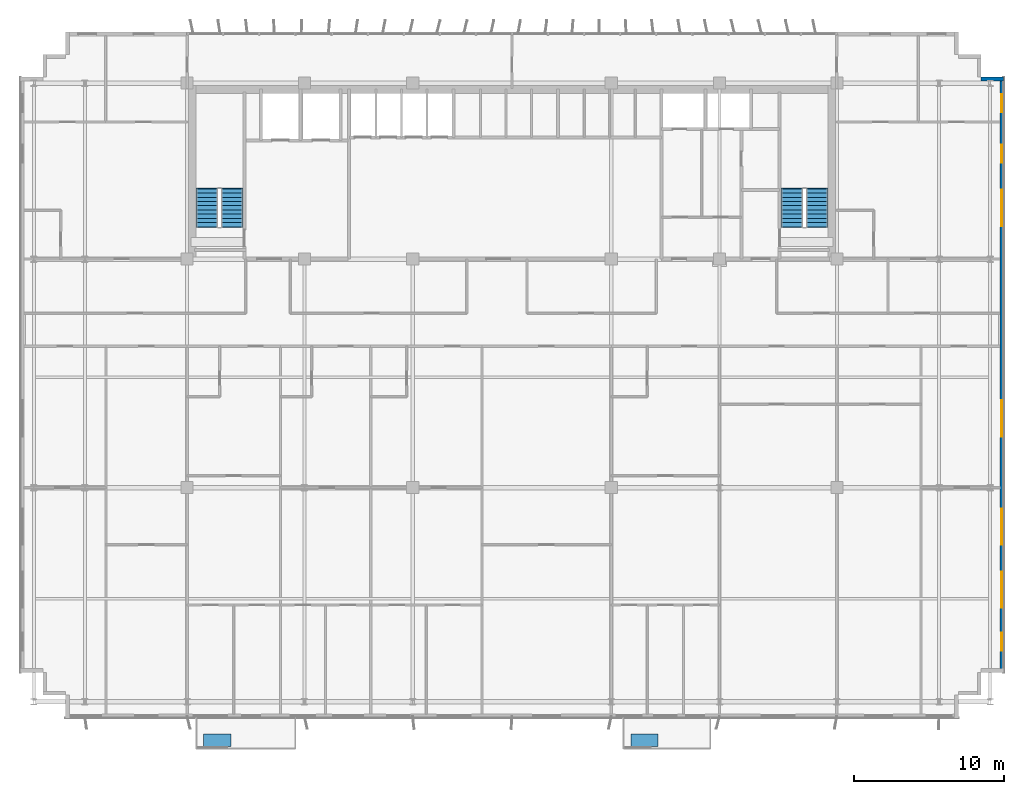
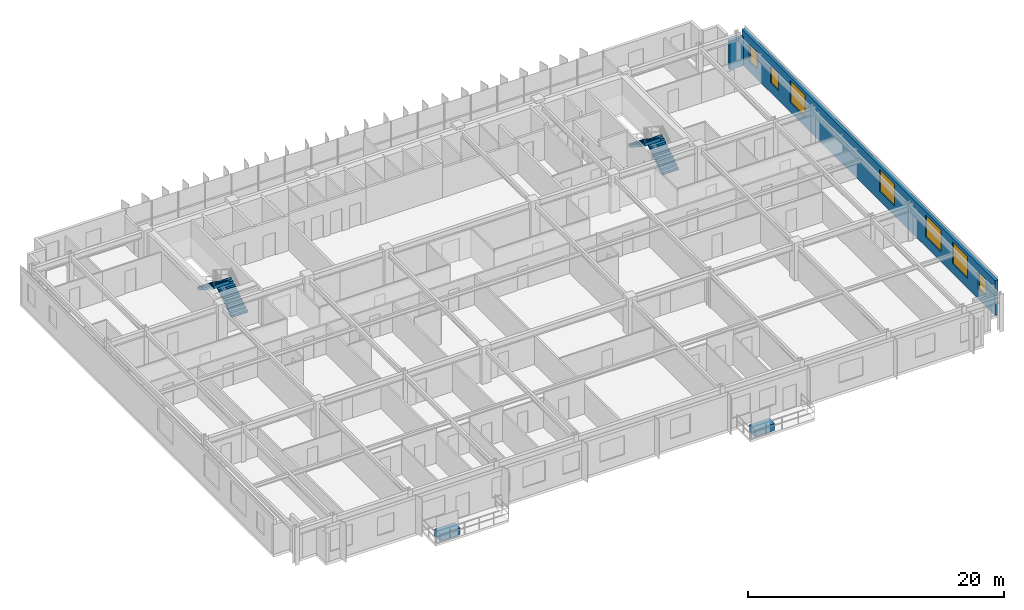
# One storey, part 19 of 22: 7 windows, 4 stair flights, 2 discrete accessories, 2 walls, 7 openings, 2 elements without a shape of their own.
"""IFC4 building model written with IfcOpenShell, lengths in metres."""

from ifc_helpers import new_model, si_unit, direction, frame, frame_2d, origin, origin_2d, place, context, subcontext, project, spatial, polyline, rectangle, outline, extrude, source, transform, mapped, material, layer, layer_set, type_object, element, fill, aggregate, save


model = new_model("IFC4")

# Units and contexts
model_context = context("Model", 3, precision=1e-05, world=origin(), true_north=direction((0.0, 1.0)))
body_context = subcontext(model_context, "Body", "Model", "MODEL_VIEW")
ifc_project = project(units=[si_unit("LENGTHUNIT", "METRE"), si_unit("AREAUNIT", "SQUARE_METRE"), si_unit("VOLUMEUNIT", "CUBIC_METRE"), si_unit("PLANEANGLEUNIT", "RADIAN"), si_unit("MASSUNIT", "GRAM", prefix="KILO")], contexts=[model_context])

# Site, building, storey
site_placement = place(None, origin())
site = spatial("IfcSite", under=ifc_project, at=site_placement, CompositionType="ELEMENT")
building_placement = place(site_placement, origin())
building = spatial("IfcBuilding", under=site, at=building_placement, Name="Trelvane Seafront Commons", CompositionType="ELEMENT")
storey_placement = place(building_placement, frame((0.0, 0.0, 114.10009765625)))
storey = spatial("IfcBuildingStorey", under=building, at=storey_placement, Name="L29", CompositionType="ELEMENT", Elevation=114.10009765625)

# Wall
ifc_material_1 = material(Name="Precast concrete C40/50", Category="concrete")
ifc_layer = layer(ifc_material_1, 0.260009765625, Name="ARCH-WALL-EXT260")
ifc_layer_set = layer_set([ifc_layer], Name="Precast concrete C40/50")
wall_type = type_object("IfcWallType", Name="ARCH-WALL-EXT260", PredefinedType="SOLIDWALL", material=ifc_layer_set)
wall_1_placement = place(storey_placement, frame((68.39990234375, 45.3701171875, 0.0), z_axis=(0.0, 0.0, 1.0), x_axis=(1.0, 0.0, 0.0)))
element("IfcWall", 1, at=wall_1_placement, inside=storey, type_object=wall_type, Name="EW-L29-00551", PredefinedType="SOLIDWALL", context=body_context, shape_type="SweptSolid", body=[
    extrude(rectangle(XDim=1.5, YDim=0.260009765625, at=frame_2d((0.75, 0.0))), origin(), (0.0, 0.0, 1.0), 2.751953125),
])

# Wall, openings, windows
wall_2_placement = place(storey_placement, frame((69.77001953125, 45.5, 0.0), z_axis=(0.0, 0.0, 1.0), x_axis=(0.0, -1.0, 0.0)))
wall_2 = element("IfcWall", 2, at=wall_2_placement, inside=storey, type_object=wall_type, Name="EW-L29-00552", PredefinedType="SOLIDWALL", context=body_context, shape_type="SweptSolid", body=[
    extrude(rectangle(XDim=39.60009765625, YDim=0.260009765625, at=frame_2d((19.800048828125, 0.0))), origin(), (0.0, 0.0, 1.0), 3.33984375),
])
opening_1_placement = place(wall_2_placement, frame((36.949951171875, 0.0, 0.919921875)))
opening_1 = element("IfcOpeningElement", 3, at=opening_1_placement, cuts=wall_2, Name="Opening W05", PredefinedType="OPENING", context=body_context, shape_type="SweptSolid", body=[
    extrude(rectangle(XDim=1.199951171875, YDim=1.64990234375, at=frame_2d((0.60009765625, 0.824951171875))), frame((0.0, 0.139892578125, 0.0), z_axis=(0.0, -1.0, 0.0), x_axis=(1.0, 0.0, 0.0)), (0.0, 0.0, 1.0), 0.280029296875),
])
opening_2_placement = place(wall_2_placement, frame((32.89990234375, 0.0, 0.919921875)))
opening_2 = element("IfcOpeningElement", 4, at=opening_2_placement, cuts=wall_2, Name="Opening W08", PredefinedType="OPENING", context=body_context, shape_type="SweptSolid", body=[
    extrude(rectangle(XDim=2.39990234375, YDim=2.10009765625, at=frame_2d((1.199951171875, 1.050048828125))), frame((0.0, 0.139892578125, 0.0), z_axis=(0.0, -1.0, 0.0), x_axis=(1.0, 0.0, 0.0)), (0.0, 0.0, 1.0), 0.280029296875),
])
opening_3_placement = place(wall_2_placement, frame((28.699951171875, 0.0, 0.919921875)))
opening_3 = element("IfcOpeningElement", 5, at=opening_3_placement, cuts=wall_2, Name="Opening W08", PredefinedType="OPENING", context=body_context, shape_type="SweptSolid", body=[
    extrude(rectangle(XDim=2.39990234375, YDim=2.10009765625, at=frame_2d((1.199951171875, 1.050048828125))), frame((0.0, 0.139892578125, 0.0), z_axis=(0.0, -1.0, 0.0), x_axis=(1.0, 0.0, 0.0)), (0.0, 0.0, 1.0), 0.280029296875),
])
opening_4_placement = place(wall_2_placement, frame((21.5, 0.0, 0.919921875)))
opening_4 = element("IfcOpeningElement", 6, at=opening_4_placement, cuts=wall_2, Name="Opening W08", PredefinedType="OPENING", context=body_context, shape_type="SweptSolid", body=[
    extrude(rectangle(XDim=2.39990234375, YDim=2.10009765625, at=frame_2d((1.199951171875, 1.050048828125))), frame((0.0, 0.139892578125, 0.0), z_axis=(0.0, -1.0, 0.0), x_axis=(1.0, 0.0, 0.0)), (0.0, 0.0, 1.0), 0.280029296875),
])
opening_5_placement = place(wall_2_placement, frame((7.5, 0.0, 0.919921875)))
opening_5 = element("IfcOpeningElement", 7, at=opening_5_placement, cuts=wall_2, Name="Opening W08", PredefinedType="OPENING", context=body_context, shape_type="SweptSolid", body=[
    extrude(rectangle(XDim=2.39990234375, YDim=2.10009765625, at=frame_2d((1.199951171875, 1.050048828125))), frame((0.0, 0.139892578125, 0.0), z_axis=(0.0, -1.0, 0.0), x_axis=(1.0, 0.0, 0.0)), (0.0, 0.0, 1.0), 0.280029296875),
])
opening_6_placement = place(wall_2_placement, frame((4.5, 0.0, 0.919921875)))
opening_6 = element("IfcOpeningElement", 8, at=opening_6_placement, cuts=wall_2, Name="Opening W05", PredefinedType="OPENING", context=body_context, shape_type="SweptSolid", body=[
    extrude(rectangle(XDim=1.199951171875, YDim=1.64990234375, at=frame_2d((0.60009765625, 0.824951171875))), frame((0.0, 0.139892578125, 0.0), z_axis=(0.0, -1.0, 0.0), x_axis=(1.0, 0.0, 0.0)), (0.0, 0.0, 1.0), 0.280029296875),
])
opening_7_placement = place(wall_2_placement, frame((1.14990234375, 0.0, 0.919921875)))
opening_7 = element("IfcOpeningElement", 9, at=opening_7_placement, cuts=wall_2, Name="Opening W05", PredefinedType="OPENING", context=body_context, shape_type="SweptSolid", body=[
    extrude(rectangle(XDim=1.199951171875, YDim=1.64990234375, at=frame_2d((0.60009765625, 0.824951171875))), frame((0.0, 0.139892578125, 0.0), z_axis=(0.0, -1.0, 0.0), x_axis=(1.0, 0.0, 0.0)), (0.0, 0.0, 1.0), 0.280029296875),
])
ifc_material_2 = material(Name="Low-E coastal double glazing", Category="glass")
window_type_1 = type_object("IfcWindowType", Name="ARCH-WIN-W08", PartitioningType="SINGLE_PANEL", PredefinedType="WINDOW", material=ifc_material_2)
shared_shape_1 = source(origin(), body_context, "Body", "SweptSolid", [
    extrude(rectangle(XDim=2.39990234375, YDim=2.10009765625, at=frame_2d((1.199951171875, 1.050048828125))), frame((0.0, 0.030029296875, 0.0), z_axis=(0.0, -1.0, 0.0), x_axis=(1.0, 0.0, 0.0)), (0.0, 0.0, 1.0), 0.06005859375),
])
window_1_placement = place(opening_2_placement, origin())
window_1 = element("IfcWindow", 10, at=window_1_placement, inside=storey, type_object=window_type_1, Name="WIN-L29-EW-00646", OverallHeight=2.10009765625, OverallWidth=2.39990234375, PartitioningType="SINGLE_PANEL", PredefinedType="WINDOW", context=body_context, shape_type="MappedRepresentation", body=[
    mapped(shared_shape_1, transform((0.0, 0.0, 0.0), x_axis=(1.0, 0.0, 0.0), y_axis=(0.0, 1.0, 0.0), z_axis=(0.0, 0.0, 1.0), scale=1.0)),
])
fill(opening_2, window_1)
window_2_placement = place(opening_3_placement, origin())
window_2 = element("IfcWindow", 11, at=window_2_placement, inside=storey, type_object=window_type_1, Name="WIN-L29-EW-00647", OverallHeight=2.10009765625, OverallWidth=2.39990234375, PartitioningType="SINGLE_PANEL", PredefinedType="WINDOW", context=body_context, shape_type="MappedRepresentation", body=[
    mapped(shared_shape_1, transform((0.0, 0.0, 0.0), x_axis=(1.0, 0.0, 0.0), y_axis=(0.0, 1.0, 0.0), z_axis=(0.0, 0.0, 1.0), scale=1.0)),
])
fill(opening_3, window_2)
window_3_placement = place(opening_4_placement, origin())
window_3 = element("IfcWindow", 12, at=window_3_placement, inside=storey, type_object=window_type_1, Name="WIN-L29-EW-00648", OverallHeight=2.10009765625, OverallWidth=2.39990234375, PartitioningType="SINGLE_PANEL", PredefinedType="WINDOW", context=body_context, shape_type="MappedRepresentation", body=[
    mapped(shared_shape_1, transform((0.0, 0.0, 0.0), x_axis=(1.0, 0.0, 0.0), y_axis=(0.0, 1.0, 0.0), z_axis=(0.0, 0.0, 1.0), scale=1.0)),
])
fill(opening_4, window_3)
window_4_placement = place(opening_5_placement, origin())
window_4 = element("IfcWindow", 13, at=window_4_placement, inside=storey, type_object=window_type_1, Name="WIN-L29-EW-00649", OverallHeight=2.10009765625, OverallWidth=2.39990234375, PartitioningType="SINGLE_PANEL", PredefinedType="WINDOW", context=body_context, shape_type="MappedRepresentation", body=[
    mapped(shared_shape_1, transform((0.0, 0.0, 0.0), x_axis=(1.0, 0.0, 0.0), y_axis=(0.0, 1.0, 0.0), z_axis=(0.0, 0.0, 1.0), scale=1.0)),
])
fill(opening_5, window_4)
window_type_2 = type_object("IfcWindowType", Name="ARCH-WIN-W05", PartitioningType="SINGLE_PANEL", PredefinedType="WINDOW", material=ifc_material_2)
shared_shape_2 = source(origin(), body_context, "Body", "SweptSolid", [
    extrude(rectangle(XDim=1.199951171875, YDim=1.64990234375, at=frame_2d((0.60009765625, 0.824951171875))), frame((0.0, 0.030029296875, 0.0), z_axis=(0.0, -1.0, 0.0), x_axis=(1.0, 0.0, 0.0)), (0.0, 0.0, 1.0), 0.06005859375),
])
window_5_placement = place(opening_1_placement, origin())
window_5 = element("IfcWindow", 14, at=window_5_placement, inside=storey, type_object=window_type_2, Name="WIN-L29-EW-00645", OverallHeight=1.64990234375, OverallWidth=1.199951171875, PartitioningType="SINGLE_PANEL", PredefinedType="WINDOW", context=body_context, shape_type="MappedRepresentation", body=[
    mapped(shared_shape_2, transform((0.0, 0.0, 0.0), x_axis=(1.0, 0.0, 0.0), y_axis=(0.0, 1.0, 0.0), z_axis=(0.0, 0.0, 1.0), scale=1.0)),
])
fill(opening_1, window_5)
window_6_placement = place(opening_6_placement, origin())
window_6 = element("IfcWindow", 15, at=window_6_placement, inside=storey, type_object=window_type_2, Name="WIN-L29-EW-00650", OverallHeight=1.64990234375, OverallWidth=1.199951171875, PartitioningType="SINGLE_PANEL", PredefinedType="WINDOW", context=body_context, shape_type="MappedRepresentation", body=[
    mapped(shared_shape_2, transform((0.0, 0.0, 0.0), x_axis=(1.0, 0.0, 0.0), y_axis=(0.0, 1.0, 0.0), z_axis=(0.0, 0.0, 1.0), scale=1.0)),
])
fill(opening_6, window_6)
window_7_placement = place(opening_7_placement, origin())
window_7 = element("IfcWindow", 16, at=window_7_placement, inside=storey, type_object=window_type_2, Name="WIN-L29-EW-00651", OverallHeight=1.64990234375, OverallWidth=1.199951171875, PartitioningType="SINGLE_PANEL", PredefinedType="WINDOW", context=body_context, shape_type="MappedRepresentation", body=[
    mapped(shared_shape_2, transform((0.0, 0.0, 0.0), x_axis=(1.0, 0.0, 0.0), y_axis=(0.0, 1.0, 0.0), z_axis=(0.0, 0.0, 1.0), scale=1.0)),
])
fill(opening_7, window_7)

# Stair, stair flights
ifc_material_3 = material(Name="Concrete C40/50", Category="concrete")
stair_type_1 = type_object("IfcStairType", Name="ARCH-STR-ST-1-R20-180", PredefinedType="HALF_TURN_STAIR", material=ifc_material_3)
stair_1_placement = place(storey_placement, origin())
stair_1 = element("IfcStair", 17, at=stair_1_placement, inside=storey, type_object=stair_type_1, Name="L29 West Protected Firefighting Exit Stair ST-1", PredefinedType="HALF_TURN_STAIR")
stair_flight_type_1 = type_object("IfcStairFlightType", Name="ARCH-FLG-ST-1-R20-180", PredefinedType="STRAIGHT", material=ifc_material_3)
shared_shape_3 = source(origin(), body_context, "Body", "SweptSolid", [
    extrude(outline(polyline([(-0.050048828125, -0.02001953125), (-0.050048828125, 0.0), (0.0, 0.0), (0.0, 0.179931640625), (0.280029296875, 0.179931640625), (0.280029296875, 0.360107421875), (0.56005859375, 0.360107421875), (0.56005859375, 0.5400390625), (0.840087890625, 0.5400390625), (0.840087890625, 0.719970703125), (1.1201171875, 0.719970703125), (1.1201171875, 0.89990234375), (1.39990234375, 0.89990234375), (1.39990234375, 1.080078125), (1.679931640625, 1.080078125), (1.679931640625, 1.260009765625), (1.9599609375, 1.260009765625), (1.9599609375, 1.43994140625), (2.239990234375, 1.43994140625), (2.239990234375, 1.6201171875), (2.52001953125, 1.6201171875), (2.52001953125, 1.800048828125), (2.570068359375, 1.800048828125), (2.570068359375, 1.650146484375), (2.52001953125, 1.44189453125), (0.277099609375, -0.02001953125), (-0.050048828125, -0.02001953125)])), frame((0.0, 0.72509765625, 0.0), z_axis=(0.0, -1.0, 0.0), x_axis=(1.0, 0.0, 0.0)), (0.0, 0.0, 1.0), 1.449951171875),
])
stair_flight_1_placement = place(storey_placement, frame((18.574951171875, 35.550048828125, 0.0), z_axis=(0.0, 0.0, 1.0), x_axis=(0.0, 1.0, 0.0)))
stair_flight_1 = element("IfcStairFlight", 18, at=stair_flight_1_placement, type_object=stair_flight_type_1, Name="ST-1 flight 1", NumberOfRisers=10, NumberOfTreads=9, PredefinedType="STRAIGHT", RiserHeight=0.18, TreadLength=0.28, context=body_context, shape_type="MappedRepresentation", body=[
    mapped(shared_shape_3, transform((0.0, 0.0, 0.0), x_axis=(1.0, 0.0, 0.0), y_axis=(0.0, 1.0, 0.0), z_axis=(0.0, 0.0, 1.0), scale=1.0)),
])
stair_flight_2_placement = place(storey_placement, frame((16.925048828125, 38.070068359375, 1.7998046875), z_axis=(0.0, 0.0, 1.0), x_axis=(0.0, -1.0, 0.0)))
stair_flight_2 = element("IfcStairFlight", 19, at=stair_flight_2_placement, type_object=stair_flight_type_1, Name="ST-1 flight 2", NumberOfRisers=10, NumberOfTreads=9, PredefinedType="STRAIGHT", RiserHeight=0.18, TreadLength=0.28, context=body_context, shape_type="MappedRepresentation", body=[
    mapped(shared_shape_3, transform((0.0, 0.0, 0.0), x_axis=(1.0, 0.0, 0.0), y_axis=(0.0, 1.0, 0.0), z_axis=(0.0, 0.0, 1.0), scale=1.0)),
])
aggregate(stair_1, [stair_flight_1, stair_flight_2])

stair_type_2 = type_object("IfcStairType", Name="ARCH-STR-ST-2-R20-180", PredefinedType="HALF_TURN_STAIR", material=ifc_material_3)
stair_2_placement = place(storey_placement, origin())
stair_2 = element("IfcStair", 20, at=stair_2_placement, inside=storey, type_object=stair_type_2, Name="L29 East Protected Firefighting Exit Stair ST-2", PredefinedType="HALF_TURN_STAIR")
stair_flight_type_2 = type_object("IfcStairFlightType", Name="ARCH-FLG-ST-2-R20-180", PredefinedType="STRAIGHT", material=ifc_material_3)
stair_flight_3_placement = place(storey_placement, frame((57.47509765625, 35.550048828125, 0.0), z_axis=(0.0, 0.0, 1.0), x_axis=(0.0, 1.0, 0.0)))
stair_flight_3 = element("IfcStairFlight", 21, at=stair_flight_3_placement, type_object=stair_flight_type_2, Name="ST-2 flight 1", NumberOfRisers=10, NumberOfTreads=9, PredefinedType="STRAIGHT", RiserHeight=0.18, TreadLength=0.28, context=body_context, shape_type="MappedRepresentation", body=[
    mapped(shared_shape_3, transform((0.0, 0.0, 0.0), x_axis=(1.0, 0.0, 0.0), y_axis=(0.0, 1.0, 0.0), z_axis=(0.0, 0.0, 1.0), scale=1.0)),
])
stair_flight_4_placement = place(storey_placement, frame((55.824951171875, 38.070068359375, 1.7998046875), z_axis=(0.0, 0.0, 1.0), x_axis=(0.0, -1.0, 0.0)))
stair_flight_4 = element("IfcStairFlight", 22, at=stair_flight_4_placement, type_object=stair_flight_type_2, Name="ST-2 flight 2", NumberOfRisers=10, NumberOfTreads=9, PredefinedType="STRAIGHT", RiserHeight=0.18, TreadLength=0.28, context=body_context, shape_type="MappedRepresentation", body=[
    mapped(shared_shape_3, transform((0.0, 0.0, 0.0), x_axis=(1.0, 0.0, 0.0), y_axis=(0.0, 1.0, 0.0), z_axis=(0.0, 0.0, 1.0), scale=1.0)),
])
aggregate(stair_2, [stair_flight_3, stair_flight_4])

# Discrete accessories
discrete_accessory_type = type_object("IfcDiscreteAccessoryType", Name="ARCH-ACC-PLANTER", PredefinedType="USERDEFINED", material=ifc_material_1)
shared_shape_4 = source(origin(), body_context, "Body", "SweptSolid", [
    extrude(rectangle(XDim=1.800048828125, YDim=0.85009765625, at=origin_2d()), origin(), (0.0, 0.0, 1.0), 0.64990234375),
])
for number, where, z_axis, x_axis, name in (
    (23, (17.60009765625, 1.39990234375, 0.0), (0.0, 0.0, 1.0), (1.0, 0.0, 0.0), "PLN-L29-B0-033"),
    (24, (46.0, 1.39990234375, 0.0), (0.0, 0.0, 1.0), (1.0, 0.0, 0.0), "PLN-L29-B1-034"),
):
    element("IfcDiscreteAccessory", number, at=place(storey_placement, frame(where, z_axis=z_axis, x_axis=x_axis)), inside=storey, type_object=discrete_accessory_type, Name=name, ObjectType="BALCONY TREE PLANTER", PredefinedType="USERDEFINED", context=body_context, shape_type="MappedRepresentation", body=[
        mapped(shared_shape_4, transform((0.0, 0.0, 0.0), x_axis=(1.0, 0.0, 0.0), y_axis=(0.0, 1.0, 0.0), z_axis=(0.0, 0.0, 1.0), scale=1.0)),
    ])

save(model, "model.ifc")
